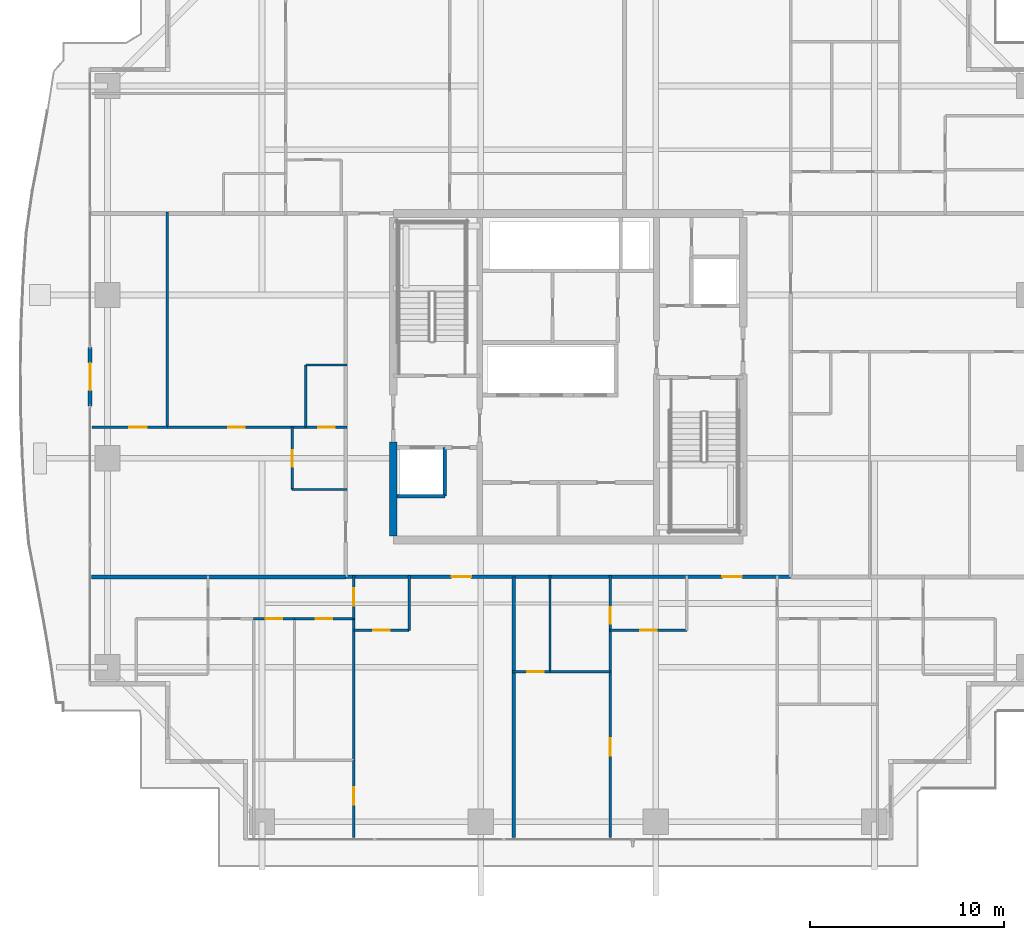
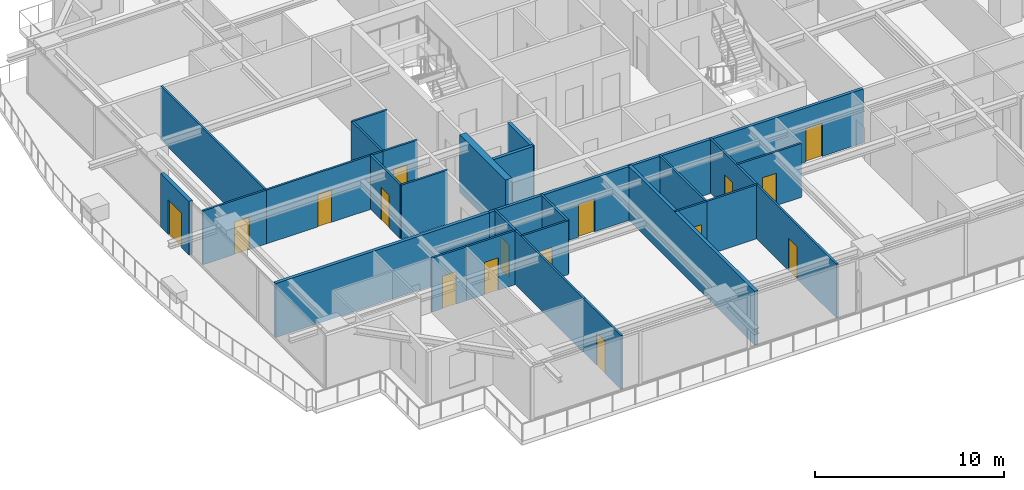
# One storey, part 27 of 39: 28 walls, 16 doors, 16 openings.
"""IFC4 building model written with IfcOpenShell, lengths in metres."""

from ifc_helpers import new_model, si_unit, direction, frame, frame_2d, origin, place, context, subcontext, project, spatial, rectangle, extrude, source, transform, mapped, material, layer, layer_set, type_object, element, fill, save


model = new_model("IFC4")

# Units and contexts
model_context = context("Model", 3, precision=1e-05, world=origin(), true_north=direction((0.0, 1.0)))
body_context = subcontext(model_context, "Body", "Model", "MODEL_VIEW")
ifc_project = project(units=[si_unit("LENGTHUNIT", "METRE"), si_unit("AREAUNIT", "SQUARE_METRE"), si_unit("VOLUMEUNIT", "CUBIC_METRE"), si_unit("PLANEANGLEUNIT", "RADIAN"), si_unit("MASSUNIT", "GRAM", prefix="KILO")], contexts=[model_context])

# Site, building, storey
site_placement = place(None, origin())
site = spatial("IfcSite", under=ifc_project, at=site_placement, CompositionType="ELEMENT")
building_placement = place(site_placement, origin())
building = spatial("IfcBuilding", under=site, at=building_placement, Name="Serunith Strait Residences", CompositionType="ELEMENT")
storey_placement = place(building_placement, frame((0.0, 0.0, 168.89990234375)))
storey = spatial("IfcBuildingStorey", under=building, at=storey_placement, Name="L42", CompositionType="ELEMENT", Elevation=168.89990234375)

# Wall, opening, door
ifc_material_1 = material(Name="Pale-Champagne Aluminium Insulated Panel", Category="aluminium")
ifc_layer_1 = layer(ifc_material_1, 0.219970703125, Name="Pale-Champagne Aluminium Insulated Panel")
ifc_layer_set_1 = layer_set([ifc_layer_1], Name="Pale-Champagne Aluminium Insulated Panel")
wall_type_1 = type_object("IfcWallType", Name="EW-ALUM-220", PredefinedType="ELEMENTEDWALL", material=ifc_layer_set_1)
wall_1_placement = place(storey_placement, frame((7.800048828125, 26.699951171875, 0.0), z_axis=(0.0, 0.0, 1.0), x_axis=(0.0, -1.0, 0.0)))
wall_1 = element("IfcWall", 1, at=wall_1_placement, inside=storey, type_object=wall_type_1, Name="L42 W Facade Pier Wall", PredefinedType="ELEMENTEDWALL", context=body_context, shape_type="SweptSolid", body=[
    extrude(rectangle(XDim=3.0, YDim=0.219970703125, at=frame_2d((1.5, 0.0))), origin(), (0.0, 0.0, 1.0), 3.47509765625),
])
opening_1_placement = place(wall_1_placement, frame((0.800048828125, 0.0, 0.0)))
opening_1 = element("IfcOpeningElement", 2, at=opening_1_placement, cuts=wall_1, Name="Opening ED-04", PredefinedType="OPENING", context=body_context, shape_type="SweptSolid", body=[
    extrude(rectangle(XDim=1.39990234375, YDim=2.25, at=frame_2d((0.699951171875, 1.125))), frame((0.0, 0.1201171875, 0.0), z_axis=(0.0, -1.0, 0.0), x_axis=(1.0, 0.0, 0.0)), (0.0, 0.0, 1.0), 0.239990234375),
])
ifc_material_2 = material(Name="Thermally-Broken Aluminium Sliding Balcony Door", Category="aluminium")
door_type_1 = type_object("IfcDoorType", Name="ED-BALC-1400", OperationType="NOTDEFINED", PredefinedType="DOOR", material=ifc_material_2)
shared_shape_1 = source(origin(), body_context, "Body", "SweptSolid", [
    extrude(rectangle(XDim=1.39990234375, YDim=2.25, at=frame_2d((0.699951171875, 1.125))), frame((0.0, 0.02490234375, 0.0), z_axis=(0.0, -1.0, 0.0), x_axis=(1.0, 0.0, 0.0)), (0.0, 0.0, 1.0), 0.050048828125),
])
door_1_placement = place(opening_1_placement, origin())
door_1 = element("IfcDoor", 3, at=door_1_placement, inside=storey, type_object=door_type_1, Name="L42 W Vertical-Forest Balcony Door", OperationType="SLIDING_TO_LEFT", OverallHeight=2.25, OverallWidth=1.39990234375, PredefinedType="DOOR", context=body_context, shape_type="MappedRepresentation", body=[
    mapped(shared_shape_1, transform((0.0, 0.0, 0.0), scale=1.0)),
])
fill(opening_1, door_1)

# Wall, openings, doors
ifc_material_3 = material(Name="Fire-rated acoustic gypsum partition")
ifc_layer_2 = layer(ifc_material_3, 0.179931640625, Name="Fire-rated acoustic gypsum partition")
ifc_layer_set_2 = layer_set([ifc_layer_2], Name="Fire-rated acoustic gypsum partition")
wall_type_2 = type_object("IfcWallType", Name="IW-CORR-180", PredefinedType="PARTITIONING", material=ifc_layer_set_2)
wall_2_placement = place(storey_placement, frame((20.951904296875, 14.89990234375, 0.0), z_axis=(0.0, 0.0, 1.0), x_axis=(1.0, 0.0, 0.0)))
wall_2 = element("IfcWall", 4, at=wall_2_placement, inside=storey, type_object=wall_type_2, Name="L42 Partition Wall 024", PredefinedType="PARTITIONING", context=body_context, shape_type="SweptSolid", body=[
    extrude(rectangle(XDim=22.89599609375, YDim=0.179931640625, at=frame_2d((11.447998046875, 0.0))), origin(), (0.0, 0.0, 1.0), 3.489990234375),
])
opening_2_placement = place(wall_2_placement, frame((5.451904296875, 0.0, 0.0)))
opening_2 = element("IfcOpeningElement", 5, at=opening_2_placement, cuts=wall_2, Name="Opening D-APT1000", PredefinedType="OPENING", context=body_context, shape_type="SweptSolid", body=[
    extrude(rectangle(XDim=1.0, YDim=2.14990234375, at=frame_2d((0.5, 1.074951171875))), frame((0.0, 0.10009765625, 0.0), z_axis=(0.0, -1.0, 0.0), x_axis=(1.0, 0.0, 0.0)), (0.0, 0.0, 1.0), 0.199951171875),
])
opening_3_placement = place(wall_2_placement, frame((19.3779296875, 0.0, 0.0)))
opening_3 = element("IfcOpeningElement", 6, at=opening_3_placement, cuts=wall_2, Name="Opening D-APT1000", PredefinedType="OPENING", context=body_context, shape_type="SweptSolid", body=[
    extrude(rectangle(XDim=1.0, YDim=2.14990234375, at=frame_2d((0.5, 1.074951171875))), frame((0.0, 0.10009765625, 0.0), z_axis=(0.0, -1.0, 0.0), x_axis=(1.0, 0.0, 0.0)), (0.0, 0.0, 1.0), 0.199951171875),
])
ifc_material_4 = material(Name="Solid timber engineered fire door", Category="wood")
door_type_2 = type_object("IfcDoorType", Name="ID-APT-1000", OperationType="NOTDEFINED", PredefinedType="DOOR", material=ifc_material_4)
shared_shape_2 = source(origin(), body_context, "Body", "SweptSolid", [
    extrude(rectangle(XDim=1.0, YDim=2.14990234375, at=frame_2d((0.5, 1.074951171875))), frame((0.0, 0.02490234375, 0.0), z_axis=(0.0, -1.0, 0.0), x_axis=(1.0, 0.0, 0.0)), (0.0, 0.0, 1.0), 0.050048828125),
])
door_2_placement = place(opening_2_placement, origin())
door_2 = element("IfcDoor", 7, at=door_2_placement, inside=storey, type_object=door_type_2, Name="L42 Unit 01 Entrance Door", OperationType="SINGLE_SWING_RIGHT", OverallHeight=2.14990234375, OverallWidth=1.0, PredefinedType="DOOR", context=body_context, shape_type="MappedRepresentation", body=[
    mapped(shared_shape_2, transform((0.0, 0.0, 0.0), scale=1.0)),
])
fill(opening_2, door_2)
door_3_placement = place(opening_3_placement, origin())
door_3 = element("IfcDoor", 8, at=door_3_placement, inside=storey, type_object=door_type_2, Name="L42 Unit 02 Entrance Door", OperationType="SINGLE_SWING_LEFT", OverallHeight=2.14990234375, OverallWidth=1.0, PredefinedType="DOOR", context=body_context, shape_type="MappedRepresentation", body=[
    mapped(shared_shape_2, transform((0.0, 0.0, 0.0), scale=1.0)),
])
fill(opening_3, door_3)

# Wall, opening, door
ifc_material_5 = material(Name="Lightweight steel-stud gypsum partition", Category="steel")
ifc_layer_3 = layer(ifc_material_5, 0.1201171875, Name="Lightweight steel-stud gypsum partition")
ifc_layer_set_3 = layer_set([ifc_layer_3], Name="Lightweight steel-stud gypsum partition")
wall_type_3 = type_object("IfcWallType", Name="IW-PART-120", PredefinedType="PARTITIONING", material=ifc_layer_set_3)
wall_3_placement = place(storey_placement, frame((21.3701171875, 12.14990234375, 0.0), z_axis=(0.0, 0.0, 1.0), x_axis=(1.0, 0.0, 0.0)))
wall_3 = element("IfcWall", 9, at=wall_3_placement, inside=storey, type_object=wall_type_3, Name="L42 Partition Wall 029", PredefinedType="PARTITIONING", context=body_context, shape_type="SweptSolid", body=[
    extrude(rectangle(XDim=2.849853515625, YDim=0.1201171875, at=frame_2d((1.4248046875, 0.0))), origin(), (0.0, 0.0, 1.0), 3.489990234375),
])
opening_4_placement = place(wall_3_placement, frame((1.0, 0.0, 0.0)))
opening_4 = element("IfcOpeningElement", 10, at=opening_4_placement, cuts=wall_3, Name="Opening D-RM850", PredefinedType="OPENING", context=body_context, shape_type="SweptSolid", body=[
    extrude(rectangle(XDim=0.85009765625, YDim=2.10009765625, at=frame_2d((0.425048828125, 1.050048828125))), frame((0.0, 0.070068359375, 0.0), z_axis=(0.0, -1.0, 0.0), x_axis=(1.0, 0.0, 0.0)), (0.0, 0.0, 1.0), 0.14013671875),
])
ifc_material_6 = material(Name="Engineered timber flush study and kitchen door", Category="wood")
door_type_3 = type_object("IfcDoorType", Name="ID-ROOM-850", OperationType="NOTDEFINED", PredefinedType="DOOR", material=ifc_material_6)
shared_shape_3 = source(origin(), body_context, "Body", "SweptSolid", [
    extrude(rectangle(XDim=0.85009765625, YDim=2.10009765625, at=frame_2d((0.425048828125, 1.050048828125))), frame((0.0, 0.02490234375, 0.0), z_axis=(0.0, -1.0, 0.0), x_axis=(1.0, 0.0, 0.0)), (0.0, 0.0, 1.0), 0.050048828125),
])
door_4_placement = place(opening_4_placement, origin())
door_4 = element("IfcDoor", 11, at=door_4_placement, inside=storey, type_object=door_type_3, Name="L42 Kitchen 4201 Door", OperationType="SINGLE_SWING_RIGHT", OverallHeight=2.10009765625, OverallWidth=0.85009765625, PredefinedType="DOOR", context=body_context, shape_type="MappedRepresentation", body=[
    mapped(shared_shape_3, transform((0.0, 0.0, 0.0), scale=1.0)),
])
fill(opening_4, door_4)

# Wall
wall_4_placement = place(storey_placement, frame((24.219970703125, 12.14990234375, 0.0), z_axis=(0.0, 0.0, 1.0), x_axis=(0.0, 1.0, 0.0)))
element("IfcWall", 12, at=wall_4_placement, inside=storey, type_object=wall_type_3, Name="L42 Partition Wall 030", PredefinedType="PARTITIONING", context=body_context, shape_type="SweptSolid", body=[
    extrude(rectangle(XDim=2.81005859375, YDim=0.1201171875, at=frame_2d((1.405029296875, 0.0))), origin(), (0.0, 0.0, 1.0), 3.489990234375),
])

# Wall, opening, door
wall_5_placement = place(storey_placement, frame((21.3701171875, 12.75, 0.0), z_axis=(0.0, 0.0, 1.0), x_axis=(0.0, 1.0, 0.0)))
wall_5 = element("IfcWall", 13, at=wall_5_placement, inside=storey, type_object=wall_type_3, Name="L42 Partition Wall 031", PredefinedType="PARTITIONING", context=body_context, shape_type="SweptSolid", body=[
    extrude(rectangle(XDim=2.2099609375, YDim=0.1201171875, at=frame_2d((1.10498046875, 0.0))), origin(), (0.0, 0.0, 1.0), 3.489990234375),
])
opening_5_placement = place(wall_5_placement, frame((0.655029296875, 0.0, 0.0)))
opening_5 = element("IfcOpeningElement", 14, at=opening_5_placement, cuts=wall_5, Name="Opening D-RM900", PredefinedType="OPENING", context=body_context, shape_type="SweptSolid", body=[
    extrude(rectangle(XDim=0.89990234375, YDim=2.10009765625, at=frame_2d((0.449951171875, 1.050048828125))), frame((0.0, 0.070068359375, 0.0), z_axis=(0.0, -1.0, 0.0), x_axis=(1.0, 0.0, 0.0)), (0.0, 0.0, 1.0), 0.14013671875),
])
ifc_material_7 = material(Name="Engineered timber flush bedroom door", Category="wood")
door_type_4 = type_object("IfcDoorType", Name="ID-ROOM-900", OperationType="NOTDEFINED", PredefinedType="DOOR", material=ifc_material_7)
shared_shape_4 = source(origin(), body_context, "Body", "SweptSolid", [
    extrude(rectangle(XDim=0.89990234375, YDim=2.10009765625, at=frame_2d((0.449951171875, 1.050048828125))), frame((0.0, 0.02490234375, 0.0), z_axis=(0.0, -1.0, 0.0), x_axis=(1.0, 0.0, 0.0)), (0.0, 0.0, 1.0), 0.050048828125),
])
door_5_placement = place(opening_5_placement, origin())
door_5 = element("IfcDoor", 15, at=door_5_placement, inside=storey, type_object=door_type_4, Name="L42 Hall W 4201 Door", OperationType="SINGLE_SWING_LEFT", OverallHeight=2.10009765625, OverallWidth=0.89990234375, PredefinedType="DOOR", context=body_context, shape_type="MappedRepresentation", body=[
    mapped(shared_shape_4, transform((0.0, 0.0, 0.0), scale=1.0)),
])
fill(opening_5, door_5)

wall_6_placement = place(storey_placement, frame((21.3701171875, 1.4951171875, 0.0), z_axis=(0.0, 0.0, 1.0), x_axis=(0.0, 1.0, 0.0)))
wall_6 = element("IfcWall", 16, at=wall_6_placement, inside=storey, type_object=wall_type_3, Name="L42 Partition Wall 032", PredefinedType="PARTITIONING", context=body_context, shape_type="SweptSolid", body=[
    extrude(rectangle(XDim=3.9638671875, YDim=0.1201171875, at=frame_2d((1.98193359375, 0.0))), origin(), (0.0, 0.0, 1.0), 3.489990234375),
])
opening_6_placement = place(wall_6_placement, frame((1.68505859375, 0.0, 0.0)))
opening_6 = element("IfcOpeningElement", 17, at=opening_6_placement, cuts=wall_6, Name="Opening D-RM900", PredefinedType="OPENING", context=body_context, shape_type="SweptSolid", body=[
    extrude(rectangle(XDim=0.89990234375, YDim=2.10009765625, at=frame_2d((0.449951171875, 1.050048828125))), frame((0.0, 0.070068359375, 0.0), z_axis=(0.0, -1.0, 0.0), x_axis=(1.0, 0.0, 0.0)), (0.0, 0.0, 1.0), 0.14013671875),
])
door_6_placement = place(opening_6_placement, origin())
door_6 = element("IfcDoor", 18, at=door_6_placement, inside=storey, type_object=door_type_4, Name="L42 Study 1 4201 Door", OperationType="SINGLE_SWING_RIGHT", OverallHeight=2.10009765625, OverallWidth=0.89990234375, PredefinedType="DOOR", context=body_context, shape_type="MappedRepresentation", body=[
    mapped(shared_shape_4, transform((0.0, 0.0, 0.0), scale=1.0)),
])
fill(opening_6, door_6)

# Wall
wall_7_placement = place(storey_placement, frame((21.3701171875, 5.4609375, 0.0), z_axis=(0.0, 0.0, 1.0), x_axis=(0.0, 1.0, 0.0)))
element("IfcWall", 19, at=wall_7_placement, inside=storey, type_object=wall_type_3, Name="L42 Partition Wall 033", PredefinedType="PARTITIONING", context=body_context, shape_type="SweptSolid", body=[
    extrude(rectangle(XDim=7.287109375, YDim=0.1201171875, at=frame_2d((3.6435546875, 0.0))), origin(), (0.0, 0.0, 1.0), 3.489990234375),
])

# Wall, opening, door
wall_8_placement = place(storey_placement, frame((16.219970703125, 12.75, 0.0), z_axis=(0.0, 0.0, 1.0), x_axis=(1.0, 0.0, 0.0)))
wall_8 = element("IfcWall", 20, at=wall_8_placement, inside=storey, type_object=wall_type_3, Name="L42 Partition Wall 037", PredefinedType="PARTITIONING", context=body_context, shape_type="SweptSolid", body=[
    extrude(rectangle(XDim=2.10009765625, YDim=0.1201171875, at=frame_2d((1.050048828125, 0.0))), origin(), (0.0, 0.0, 1.0), 3.489990234375),
])
opening_7_placement = place(wall_8_placement, frame((0.625, 0.0, 0.0)))
opening_7 = element("IfcOpeningElement", 21, at=opening_7_placement, cuts=wall_8, Name="Opening D-BTH850", PredefinedType="OPENING", context=body_context, shape_type="SweptSolid", body=[
    extrude(rectangle(XDim=0.85009765625, YDim=2.10009765625, at=frame_2d((0.425048828125, 1.050048828125))), frame((0.0, 0.070068359375, 0.0), z_axis=(0.0, -1.0, 0.0), x_axis=(1.0, 0.0, 0.0)), (0.0, 0.0, 1.0), 0.14013671875),
])
ifc_material_8 = material(Name="Moisture-resistant timber bathroom door", Category="wood")
door_type_5 = type_object("IfcDoorType", Name="ID-BATH-850", OperationType="NOTDEFINED", PredefinedType="DOOR", material=ifc_material_8)
door_7_placement = place(opening_7_placement, origin())
door_7 = element("IfcDoor", 22, at=door_7_placement, inside=storey, type_object=door_type_5, Name="L42 Bathroom 4201 Door", OperationType="SINGLE_SWING_LEFT", OverallHeight=2.10009765625, OverallWidth=0.85009765625, PredefinedType="DOOR", context=body_context, shape_type="MappedRepresentation", body=[
    mapped(shared_shape_3, transform((0.0, 0.0, 0.0), scale=1.0)),
])
fill(opening_7, door_7)

wall_9_placement = place(storey_placement, frame((18.322021484375, 12.75, 0.0), z_axis=(0.0, 0.0, 1.0), x_axis=(1.0, 0.0, 0.0)))
wall_9 = element("IfcWall", 23, at=wall_9_placement, inside=storey, type_object=wall_type_3, Name="L42 Partition Wall 038", PredefinedType="PARTITIONING", context=body_context, shape_type="SweptSolid", body=[
    extrude(rectangle(XDim=3.048095703125, YDim=0.1201171875, at=frame_2d((1.52392578125, 0.0))), origin(), (0.0, 0.0, 1.0), 3.489990234375),
])
opening_8_placement = place(wall_9_placement, frame((1.09912109375, 0.0, 0.0)))
opening_8 = element("IfcOpeningElement", 24, at=opening_8_placement, cuts=wall_9, Name="Opening D-RM850", PredefinedType="OPENING", context=body_context, shape_type="SweptSolid", body=[
    extrude(rectangle(XDim=0.85009765625, YDim=2.10009765625, at=frame_2d((0.425048828125, 1.050048828125))), frame((0.0, 0.070068359375, 0.0), z_axis=(0.0, -1.0, 0.0), x_axis=(1.0, 0.0, 0.0)), (0.0, 0.0, 1.0), 0.14013671875),
])
door_8_placement = place(opening_8_placement, origin())
door_8 = element("IfcDoor", 25, at=door_8_placement, inside=storey, type_object=door_type_3, Name="L42 Study 4201 Door", OperationType="SINGLE_SWING_RIGHT", OverallHeight=2.10009765625, OverallWidth=0.85009765625, PredefinedType="DOOR", context=body_context, shape_type="MappedRepresentation", body=[
    mapped(shared_shape_3, transform((0.0, 0.0, 0.0), scale=1.0)),
])
fill(opening_8, door_8)

wall_10_placement = place(storey_placement, frame((34.56005859375, 12.14990234375, 0.0), z_axis=(0.0, 0.0, 1.0), x_axis=(1.0, 0.0, 0.0)))
wall_10 = element("IfcWall", 26, at=wall_10_placement, inside=storey, type_object=wall_type_3, Name="L42 Partition Wall 045", PredefinedType="PARTITIONING", context=body_context, shape_type="SweptSolid", body=[
    extrude(rectangle(XDim=3.93994140625, YDim=0.1201171875, at=frame_2d((1.969970703125, 0.0))), origin(), (0.0, 0.0, 1.0), 3.489990234375),
])
opening_9_placement = place(wall_10_placement, frame((1.544921875, 0.0, 0.0)))
opening_9 = element("IfcOpeningElement", 27, at=opening_9_placement, cuts=wall_10, Name="Opening D-RM850", PredefinedType="OPENING", context=body_context, shape_type="SweptSolid", body=[
    extrude(rectangle(XDim=0.85009765625, YDim=2.10009765625, at=frame_2d((0.425048828125, 1.050048828125))), frame((0.0, 0.070068359375, 0.0), z_axis=(0.0, -1.0, 0.0), x_axis=(1.0, 0.0, 0.0)), (0.0, 0.0, 1.0), 0.14013671875),
])
door_9_placement = place(opening_9_placement, origin())
door_9 = element("IfcDoor", 28, at=door_9_placement, inside=storey, type_object=door_type_3, Name="L42 Kitchen 4202 Door", OperationType="SINGLE_SWING_RIGHT", OverallHeight=2.10009765625, OverallWidth=0.85009765625, PredefinedType="DOOR", context=body_context, shape_type="MappedRepresentation", body=[
    mapped(shared_shape_3, transform((0.0, 0.0, 0.0), scale=1.0)),
])
fill(opening_9, door_9)

wall_11_placement = place(storey_placement, frame((34.56005859375, 1.4951171875, 0.0), z_axis=(0.0, 0.0, 1.0), x_axis=(0.0, 1.0, 0.0)))
wall_11 = element("IfcWall", 29, at=wall_11_placement, inside=storey, type_object=wall_type_3, Name="L42 Partition Wall 047", PredefinedType="PARTITIONING", context=body_context, shape_type="SweptSolid", body=[
    extrude(rectangle(XDim=8.52197265625, YDim=0.1201171875, at=frame_2d((4.260986328125, 0.0))), origin(), (0.0, 0.0, 1.0), 3.489990234375),
])
opening_10_placement = place(wall_11_placement, frame((4.19189453125, 0.0, 0.0)))
opening_10 = element("IfcOpeningElement", 30, at=opening_10_placement, cuts=wall_11, Name="Opening D-RM900", PredefinedType="OPENING", context=body_context, shape_type="SweptSolid", body=[
    extrude(rectangle(XDim=0.89990234375, YDim=2.10009765625, at=frame_2d((0.449951171875, 1.050048828125))), frame((0.0, 0.070068359375, 0.0), z_axis=(0.0, -1.0, 0.0), x_axis=(1.0, 0.0, 0.0)), (0.0, 0.0, 1.0), 0.14013671875),
])
door_10_placement = place(opening_10_placement, origin())
door_10 = element("IfcDoor", 31, at=door_10_placement, inside=storey, type_object=door_type_4, Name="L42 Master Bedroom 1 4202 Door", OperationType="SINGLE_SWING_LEFT", OverallHeight=2.10009765625, OverallWidth=0.89990234375, PredefinedType="DOOR", context=body_context, shape_type="MappedRepresentation", body=[
    mapped(shared_shape_4, transform((0.0, 0.0, 0.0), scale=1.0)),
])
fill(opening_10, door_10)

wall_12_placement = place(storey_placement, frame((29.5400390625, 10.01708984375, 0.0), z_axis=(0.0, 0.0, 1.0), x_axis=(1.0, 0.0, 0.0)))
wall_12 = element("IfcWall", 32, at=wall_12_placement, inside=storey, type_object=wall_type_3, Name="L42 Partition Wall 048", PredefinedType="PARTITIONING", context=body_context, shape_type="SweptSolid", body=[
    extrude(rectangle(XDim=1.919921875, YDim=0.1201171875, at=frame_2d((0.9599609375, 0.0))), origin(), (0.0, 0.0, 1.0), 3.489990234375),
])
opening_11_placement = place(wall_12_placement, frame((0.7490234375, 0.0, 0.0)))
opening_11 = element("IfcOpeningElement", 33, at=opening_11_placement, cuts=wall_12, Name="Opening D-RM850", PredefinedType="OPENING", context=body_context, shape_type="SweptSolid", body=[
    extrude(rectangle(XDim=0.85009765625, YDim=2.10009765625, at=frame_2d((0.425048828125, 1.050048828125))), frame((0.0, 0.070068359375, 0.0), z_axis=(0.0, -1.0, 0.0), x_axis=(1.0, 0.0, 0.0)), (0.0, 0.0, 1.0), 0.14013671875),
])
door_11_placement = place(opening_11_placement, origin())
door_11 = element("IfcDoor", 34, at=door_11_placement, inside=storey, type_object=door_type_3, Name="L42 Wardrobe 4202 Door", OperationType="SINGLE_SWING_RIGHT", OverallHeight=2.10009765625, OverallWidth=0.85009765625, PredefinedType="DOOR", context=body_context, shape_type="MappedRepresentation", body=[
    mapped(shared_shape_3, transform((0.0, 0.0, 0.0), scale=1.0)),
])
fill(opening_11, door_11)

# Walls
wall_13_placement = place(storey_placement, frame((31.4619140625, 10.01708984375, 0.0), z_axis=(0.0, 0.0, 1.0), x_axis=(1.0, 0.0, 0.0)))
element("IfcWall", 35, at=wall_13_placement, inside=storey, type_object=wall_type_3, Name="L42 Partition Wall 049", PredefinedType="PARTITIONING", context=body_context, shape_type="SweptSolid", body=[
    extrude(rectangle(XDim=3.09814453125, YDim=0.1201171875, at=frame_2d((1.549072265625, 0.0))), origin(), (0.0, 0.0, 1.0), 3.489990234375),
])
wall_14_placement = place(storey_placement, frame((31.4599609375, 10.01708984375, 0.0), z_axis=(0.0, 0.0, 1.0), x_axis=(0.0, 1.0, 0.0)))
element("IfcWall", 36, at=wall_14_placement, inside=storey, type_object=wall_type_3, Name="L42 Partition Wall 050", PredefinedType="PARTITIONING", context=body_context, shape_type="SweptSolid", body=[
    extrude(rectangle(XDim=4.94287109375, YDim=0.1201171875, at=frame_2d((2.471435546875, 0.0))), origin(), (0.0, 0.0, 1.0), 3.489990234375),
])

# Wall, opening, door
wall_15_placement = place(storey_placement, frame((34.56005859375, 10.01904296875, 0.0), z_axis=(0.0, 0.0, 1.0), x_axis=(0.0, 1.0, 0.0)))
wall_15 = element("IfcWall", 37, at=wall_15_placement, inside=storey, type_object=wall_type_3, Name="L42 Partition Wall 051", PredefinedType="PARTITIONING", context=body_context, shape_type="SweptSolid", body=[
    extrude(rectangle(XDim=4.94091796875, YDim=0.1201171875, at=frame_2d((2.470458984375, 0.0))), origin(), (0.0, 0.0, 1.0), 3.489990234375),
])
opening_12_placement = place(wall_15_placement, frame((2.466064453125, 0.0, 0.0)))
opening_12 = element("IfcOpeningElement", 38, at=opening_12_placement, cuts=wall_15, Name="Opening D-BTH850", PredefinedType="OPENING", context=body_context, shape_type="SweptSolid", body=[
    extrude(rectangle(XDim=0.85009765625, YDim=2.10009765625, at=frame_2d((0.425048828125, 1.050048828125))), frame((0.0, 0.070068359375, 0.0), z_axis=(0.0, -1.0, 0.0), x_axis=(1.0, 0.0, 0.0)), (0.0, 0.0, 1.0), 0.14013671875),
])
door_12_placement = place(opening_12_placement, origin())
door_12 = element("IfcDoor", 39, at=door_12_placement, inside=storey, type_object=door_type_5, Name="L42 Bathroom 4202 Door", OperationType="SINGLE_SWING_LEFT", OverallHeight=2.10009765625, OverallWidth=0.85009765625, PredefinedType="DOOR", context=body_context, shape_type="MappedRepresentation", body=[
    mapped(shared_shape_3, transform((0.0, 0.0, 0.0), scale=1.0)),
])
fill(opening_12, door_12)

wall_16_placement = place(storey_placement, frame((18.199951171875, 19.39990234375, 0.0), z_axis=(0.0, 0.0, 1.0), x_axis=(0.0, 1.0, 0.0)))
wall_16 = element("IfcWall", 40, at=wall_16_placement, inside=storey, type_object=wall_type_3, Name="L42 Partition Wall 092", PredefinedType="PARTITIONING", context=body_context, shape_type="SweptSolid", body=[
    extrude(rectangle(XDim=3.2001953125, YDim=0.1201171875, at=frame_2d((1.60009765625, 0.0))), origin(), (0.0, 0.0, 1.0), 3.489990234375),
])
opening_13_placement = place(wall_16_placement, frame((1.175048828125, 0.0, 0.0)))
opening_13 = element("IfcOpeningElement", 41, at=opening_13_placement, cuts=wall_16, Name="Opening D-RM850", PredefinedType="OPENING", context=body_context, shape_type="SweptSolid", body=[
    extrude(rectangle(XDim=0.85009765625, YDim=2.10009765625, at=frame_2d((0.425048828125, 1.050048828125))), frame((0.0, 0.070068359375, 0.0), z_axis=(0.0, -1.0, 0.0), x_axis=(1.0, 0.0, 0.0)), (0.0, 0.0, 1.0), 0.14013671875),
])
door_13_placement = place(opening_13_placement, origin())
door_13 = element("IfcDoor", 42, at=door_13_placement, inside=storey, type_object=door_type_3, Name="L42 Kitchen 4205 Door", OperationType="SINGLE_SWING_LEFT", OverallHeight=2.10009765625, OverallWidth=0.85009765625, PredefinedType="DOOR", context=body_context, shape_type="MappedRepresentation", body=[
    mapped(shared_shape_3, transform((0.0, 0.0, 0.0), scale=1.0)),
])
fill(opening_13, door_13)

# Wall
wall_17_placement = place(storey_placement, frame((18.199951171875, 19.39990234375, 0.0), z_axis=(0.0, 0.0, 1.0), x_axis=(1.0, 0.0, 0.0)))
element("IfcWall", 43, at=wall_17_placement, inside=storey, type_object=wall_type_3, Name="L42 Partition Wall 093", PredefinedType="PARTITIONING", context=body_context, shape_type="SweptSolid", body=[
    extrude(rectangle(XDim=2.81005859375, YDim=0.1201171875, at=frame_2d((1.405029296875, 0.0))), origin(), (0.0, 0.0, 1.0), 3.489990234375),
])

# Wall, opening, door
wall_18_placement = place(storey_placement, frame((7.89501953125, 22.60009765625, 0.0), z_axis=(0.0, 0.0, 1.0), x_axis=(1.0, 0.0, 0.0)))
wall_18 = element("IfcWall", 44, at=wall_18_placement, inside=storey, type_object=wall_type_3, Name="L42 Partition Wall 094", PredefinedType="PARTITIONING", context=body_context, shape_type="SweptSolid", body=[
    extrude(rectangle(XDim=3.87890625, YDim=0.1201171875, at=frame_2d((1.939453125, 0.0))), origin(), (0.0, 0.0, 1.0), 3.489990234375),
])
opening_14_placement = place(wall_18_placement, frame((1.91796875, 0.0, 0.0)))
opening_14 = element("IfcOpeningElement", 45, at=opening_14_placement, cuts=wall_18, Name="Opening D-RM900", PredefinedType="OPENING", context=body_context, shape_type="SweptSolid", body=[
    extrude(rectangle(XDim=0.89990234375, YDim=2.10009765625, at=frame_2d((0.449951171875, 1.050048828125))), frame((0.0, 0.070068359375, 0.0), z_axis=(0.0, -1.0, 0.0), x_axis=(1.0, 0.0, 0.0)), (0.0, 0.0, 1.0), 0.14013671875),
])
door_14_placement = place(opening_14_placement, origin())
door_14 = element("IfcDoor", 46, at=door_14_placement, inside=storey, type_object=door_type_4, Name="L42 Master Bedroom 1 4205 Door", OperationType="SINGLE_SWING_RIGHT", OverallHeight=2.10009765625, OverallWidth=0.89990234375, PredefinedType="DOOR", context=body_context, shape_type="MappedRepresentation", body=[
    mapped(shared_shape_4, transform((0.0, 0.0, 0.0), scale=1.0)),
])
fill(opening_14, door_14)

# Walls
wall_19_placement = place(storey_placement, frame((11.77392578125, 22.60009765625, 0.0), z_axis=(0.0, 0.0, 1.0), x_axis=(0.0, 1.0, 0.0)))
element("IfcWall", 47, at=wall_19_placement, inside=storey, type_object=wall_type_3, Name="L42 Partition Wall 095", PredefinedType="PARTITIONING", context=body_context, shape_type="SweptSolid", body=[
    extrude(rectangle(XDim=11.059814453125, YDim=0.1201171875, at=frame_2d((5.52978515625, 0.0))), origin(), (0.0, 0.0, 1.0), 3.489990234375),
])
wall_20_placement = place(storey_placement, frame((18.89990234375, 22.60009765625, 0.0), z_axis=(0.0, 0.0, 1.0), x_axis=(0.0, 1.0, 0.0)))
element("IfcWall", 48, at=wall_20_placement, inside=storey, type_object=wall_type_3, Name="L42 Partition Wall 096", PredefinedType="PARTITIONING", context=body_context, shape_type="SweptSolid", body=[
    extrude(rectangle(XDim=3.199951171875, YDim=0.1201171875, at=frame_2d((1.60009765625, 0.0))), origin(), (0.0, 0.0, 1.0), 3.489990234375),
])
wall_21_placement = place(storey_placement, frame((18.89990234375, 25.800048828125, 0.0), z_axis=(0.0, 0.0, 1.0), x_axis=(1.0, 0.0, 0.0)))
element("IfcWall", 49, at=wall_21_placement, inside=storey, type_object=wall_type_3, Name="L42 Partition Wall 097", PredefinedType="PARTITIONING", context=body_context, shape_type="SweptSolid", body=[
    extrude(rectangle(XDim=2.110107421875, YDim=0.1201171875, at=frame_2d((1.05517578125, 0.0))), origin(), (0.0, 0.0, 1.0), 3.489990234375),
])

# Wall, opening, door
wall_22_placement = place(storey_placement, frame((11.77587890625, 22.60009765625, 0.0), z_axis=(0.0, 0.0, 1.0), x_axis=(1.0, 0.0, 0.0)))
wall_22 = element("IfcWall", 50, at=wall_22_placement, inside=storey, type_object=wall_type_3, Name="L42 Partition Wall 098", PredefinedType="PARTITIONING", context=body_context, shape_type="SweptSolid", body=[
    extrude(rectangle(XDim=7.1240234375, YDim=0.1201171875, at=frame_2d((3.56201171875, 0.0))), origin(), (0.0, 0.0, 1.0), 3.489990234375),
])
opening_15_placement = place(wall_22_placement, frame((3.136962890625, 0.0, 0.0)))
opening_15 = element("IfcOpeningElement", 51, at=opening_15_placement, cuts=wall_22, Name="Opening D-RM850", PredefinedType="OPENING", context=body_context, shape_type="SweptSolid", body=[
    extrude(rectangle(XDim=0.85009765625, YDim=2.10009765625, at=frame_2d((0.425048828125, 1.050048828125))), frame((0.0, 0.070068359375, 0.0), z_axis=(0.0, -1.0, 0.0), x_axis=(1.0, 0.0, 0.0)), (0.0, 0.0, 1.0), 0.14013671875),
])
door_15_placement = place(opening_15_placement, origin())
door_15 = element("IfcDoor", 52, at=door_15_placement, inside=storey, type_object=door_type_3, Name="L42 Walk-in Wardrobe 4205 Door", OperationType="SINGLE_SWING_LEFT", OverallHeight=2.10009765625, OverallWidth=0.85009765625, PredefinedType="DOOR", context=body_context, shape_type="MappedRepresentation", body=[
    mapped(shared_shape_3, transform((0.0, 0.0, 0.0), scale=1.0)),
])
fill(opening_15, door_15)

wall_23_placement = place(storey_placement, frame((18.902099609375, 22.60009765625, 0.0), z_axis=(0.0, 0.0, 1.0), x_axis=(1.0, 0.0, 0.0)))
wall_23 = element("IfcWall", 53, at=wall_23_placement, inside=storey, type_object=wall_type_3, Name="L42 Partition Wall 099", PredefinedType="PARTITIONING", context=body_context, shape_type="SweptSolid", body=[
    extrude(rectangle(XDim=2.10791015625, YDim=0.1201171875, at=frame_2d((1.053955078125, 0.0))), origin(), (0.0, 0.0, 1.0), 3.489990234375),
])
opening_16_placement = place(wall_23_placement, frame((0.62890625, 0.0, 0.0)))
opening_16 = element("IfcOpeningElement", 54, at=opening_16_placement, cuts=wall_23, Name="Opening D-BTH850", PredefinedType="OPENING", context=body_context, shape_type="SweptSolid", body=[
    extrude(rectangle(XDim=0.85009765625, YDim=2.10009765625, at=frame_2d((0.425048828125, 1.050048828125))), frame((0.0, 0.070068359375, 0.0), z_axis=(0.0, -1.0, 0.0), x_axis=(1.0, 0.0, 0.0)), (0.0, 0.0, 1.0), 0.14013671875),
])
door_16_placement = place(opening_16_placement, origin())
door_16 = element("IfcDoor", 55, at=door_16_placement, inside=storey, type_object=door_type_5, Name="L42 Bathroom 4205 Door", OperationType="SINGLE_SWING_RIGHT", OverallHeight=2.10009765625, OverallWidth=0.85009765625, PredefinedType="DOOR", context=body_context, shape_type="MappedRepresentation", body=[
    mapped(shared_shape_3, transform((0.0, 0.0, 0.0), scale=1.0)),
])
fill(opening_16, door_16)

# Walls
ifc_material_9 = material(Name="Twin-stud acoustic gypsum board partition")
ifc_layer_4 = layer(ifc_material_9, 0.199951171875, Name="Twin-stud acoustic gypsum board partition")
ifc_layer_set_4 = layer_set([ifc_layer_4], Name="Twin-stud acoustic gypsum board partition")
wall_type_4 = type_object("IfcWallType", Name="IW-PARTY-200", PredefinedType="PARTITIONING", material=ifc_layer_set_4)
wall_24_placement = place(storey_placement, frame((29.60009765625, 1.48193359375, 0.0), z_axis=(0.0, 0.0, 1.0), x_axis=(0.0, 1.0, 0.0)))
element("IfcWall", 56, at=wall_24_placement, inside=storey, type_object=wall_type_4, Name="L42 Partition Wall 018", PredefinedType="PARTITIONING", context=body_context, shape_type="SweptSolid", body=[
    extrude(rectangle(XDim=13.41796875, YDim=0.199951171875, at=frame_2d((6.708984375, 0.0))), origin(), (0.0, 0.0, 1.0), 3.489990234375),
])
wall_25_placement = place(storey_placement, frame((7.882080078125, 14.89990234375, 0.0), z_axis=(0.0, 0.0, 1.0), x_axis=(1.0, 0.0, 0.0)))
element("IfcWall", 57, at=wall_25_placement, inside=storey, type_object=wall_type_4, Name="L42 Partition Wall 020", PredefinedType="PARTITIONING", context=body_context, shape_type="SweptSolid", body=[
    extrude(rectangle(XDim=13.06787109375, YDim=0.199951171875, at=frame_2d((6.533935546875, 0.0))), origin(), (0.0, 0.0, 1.0), 3.489990234375),
])
ifc_material_10 = material(Name="Autoclaved aerated concrete blockwork", Category="masonry")
ifc_layer_5 = layer(ifc_material_10, 0.199951171875, Name="Autoclaved aerated concrete blockwork")
ifc_layer_set_5 = layer_set([ifc_layer_5], Name="Autoclaved aerated concrete blockwork")
wall_type_5 = type_object("IfcWallType", Name="IW-SHAFT-200", PredefinedType="STANDARD", material=ifc_layer_set_5)
wall_26_placement = place(storey_placement, frame((26.050048828125, 19.050048828125, 0.0), z_axis=(0.0, 0.0, 1.0), x_axis=(0.0, 1.0, 0.0)))
element("IfcWall", 58, at=wall_26_placement, inside=storey, type_object=wall_type_5, Name="L42 Partition Wall 001", PredefinedType="STANDARD", context=body_context, shape_type="SweptSolid", body=[
    extrude(rectangle(XDim=2.5, YDim=0.199951171875, at=frame_2d((1.25, 0.0))), origin(), (0.0, 0.0, 1.0), 3.489990234375),
])
wall_27_placement = place(storey_placement, frame((23.60009765625, 19.050048828125, 0.0), z_axis=(0.0, 0.0, 1.0), x_axis=(1.0, 0.0, 0.0)))
element("IfcWall", 59, at=wall_27_placement, inside=storey, type_object=wall_type_5, Name="L42 Partition Wall 002", PredefinedType="STANDARD", context=body_context, shape_type="SweptSolid", body=[
    extrude(rectangle(XDim=2.449951171875, YDim=0.199951171875, at=frame_2d((1.22509765625, 0.0))), origin(), (0.0, 0.0, 1.0), 3.489990234375),
])
ifc_material_11 = material(Name="Concrete C70/85", Category="concrete")
ifc_layer_6 = layer(ifc_material_11, 0.39990234375, Name="Concrete C70/85")
ifc_layer_set_6 = layer_set([ifc_layer_6], Name="Concrete C70/85")
wall_type_6 = type_object("IfcWallType", Name="SW-400-C70", PredefinedType="SHEAR", material=ifc_layer_set_6)
wall_28_placement = place(storey_placement, frame((23.39990234375, 17.0, -0.260009765625), z_axis=(0.0, 0.0, 1.0), x_axis=(0.0, 1.0, 0.0)))
element("IfcWall", 60, at=wall_28_placement, inside=storey, type_object=wall_type_6, Name="L42 Core West Shear Wall South Pier", PredefinedType="SHEAR", context=body_context, shape_type="SweptSolid", body=[
    extrude(rectangle(XDim=4.85009765625, YDim=0.39990234375, at=frame_2d((2.425048828125, 0.0))), origin(), (0.0, 0.0, 1.0), 3.748046875),
])

save(model, "model.ifc")
